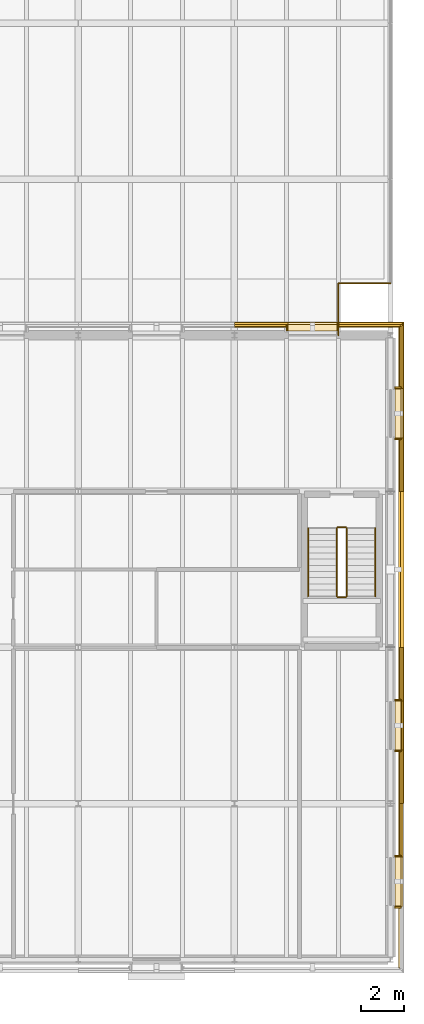
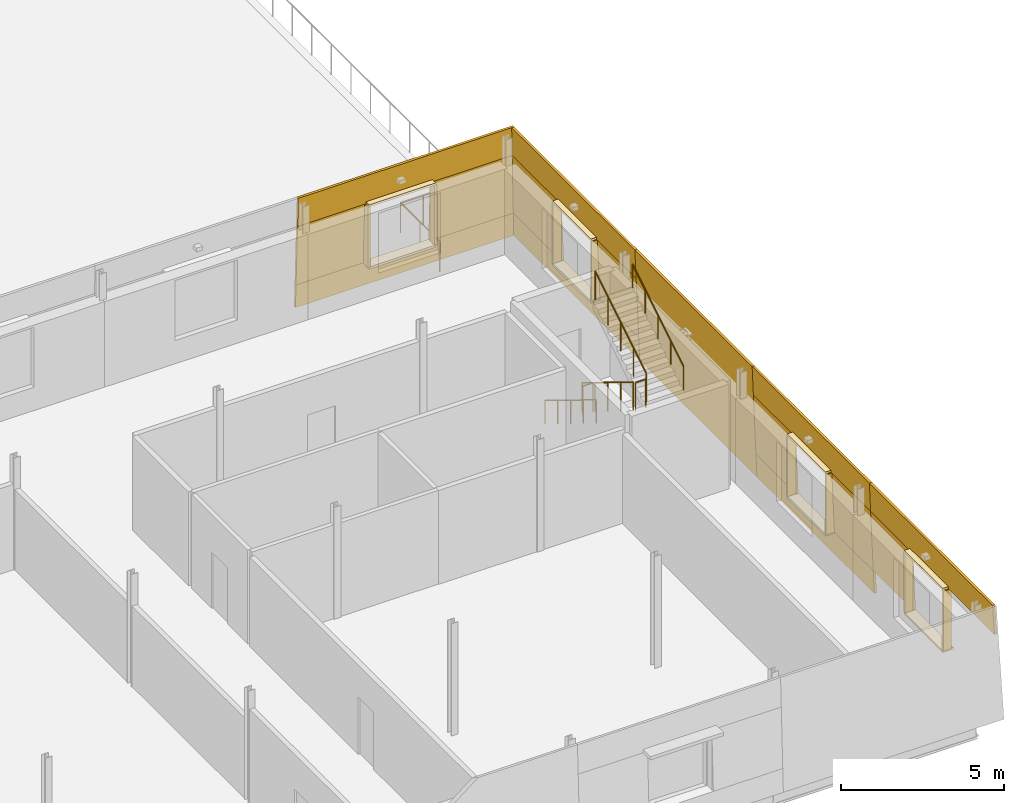
# One storey, part 110 of 115: 31 coverings, 8 railings.
"""IFC4 building model written with IfcOpenShell, lengths in metres."""

from ifc_helpers import new_model, si_unit, direction, frame, origin, origin_2d, place, context, subcontext, project, spatial, polyline, circle, outline, extrude, material, layer, layer_set, type_object, element, save


model = new_model("IFC4")

# Units and contexts
model_context = context("Model", 3, precision=1e-05, world=origin(), true_north=direction((0.0, 1.0)))
body_context = subcontext(model_context, "Body", "Model", "MODEL_VIEW")
ifc_project = project(units=[si_unit("LENGTHUNIT", "METRE"), si_unit("AREAUNIT", "SQUARE_METRE"), si_unit("VOLUMEUNIT", "CUBIC_METRE"), si_unit("PLANEANGLEUNIT", "RADIAN"), si_unit("MASSUNIT", "GRAM", prefix="KILO")], contexts=[model_context])

# Site, building, storey
site_placement = place(None, origin())
site = spatial("IfcSite", under=ifc_project, at=site_placement, CompositionType="ELEMENT")
building_placement = place(site_placement, origin())
building = spatial("IfcBuilding", under=site, at=building_placement, Name="Narikvali Park Central Library", CompositionType="ELEMENT")
storey_placement = place(building_placement, frame((0.0, 0.0, 10.199951171875)))
storey = spatial("IfcBuildingStorey", under=building, at=storey_placement, Name="L02", CompositionType="ELEMENT", Elevation=10.199951171875)

# Coverings
ifc_material_1 = material(Name="White Honed Limestone Cladding", Category="masonry")
ifc_layer_1 = layer(ifc_material_1, 0.0849609375, Name="White Honed Limestone Cladding")
ifc_layer_set_1 = layer_set([ifc_layer_1], Name="White Honed Limestone Cladding")
covering_type_1 = type_object("IfcCoveringType", Name="Battered White Limestone Facade Cladding Panel", PredefinedType="CLADDING", material=ifc_layer_set_1)
covering_1_placement = place(storey_placement, frame((166.094970703125, -0.409912109375, 3.1201171875), z_axis=(0.99916372671, 0.0, 0.040888228473), x_axis=(0.0, 1.0, 0.0)))
element("IfcCovering", 1, at=covering_1_placement, inside=storey, type_object=covering_type_1, Name="V6 L02 E Battered Limestone Lintel B01", PredefinedType="CLADDING", context=body_context, shape_type="SweptSolid", body=[
    extrude(outline(polyline([(0.0, 0.0), (7.60986328125, 0.0), (7.60986328125, 1.0807377765113395), (0.044189453125, 1.0807377765113395), (0.0, 0.0)])), origin(), (0.0, 0.0, -1.0), 0.0849609375),
])
covering_2_placement = place(storey_placement, frame((166.18701171875, 4.739990234375, 0.8701171875), z_axis=(0.999164352475, 0.0, 0.040872934124), x_axis=(0.0, 1.0, 0.0)))
element("IfcCovering", 2, at=covering_2_placement, inside=storey, type_object=covering_type_1, Name="V6 L02 E Battered Limestone Jamb Pier R B01", PredefinedType="CLADDING", context=body_context, shape_type="SweptSolid", body=[
    extrude(outline(polyline([(0.0, 0.0), (2.4599609375, 0.0), (2.4599609375, 2.251881779436319), (0.0, 2.251881779436319), (0.0, 0.0)])), origin(), (0.0, 0.0, -1.0), 0.0849609375),
])
covering_3_placement = place(storey_placement, frame((166.22265625, 7.199951171875, 0.0), z_axis=(0.999161980475, 0.0, 0.040930877988), x_axis=(0.0, 1.0, 0.0)))
element("IfcCovering", 3, at=covering_3_placement, inside=storey, type_object=covering_type_1, Name="V6 L02 E Battered Limestone Spandrel B02", PredefinedType="CLADDING", context=body_context, shape_type="SweptSolid", body=[
    extrude(outline(polyline([(0.0, 0.0), (7.199951171875, 0.0), (7.199951171875, 0.8708469742675473), (0.0, 0.8708469742675473), (0.0, 0.0)])), origin(), (0.0, 0.0, -1.0), 0.0849609375),
])
covering_4_placement = place(storey_placement, frame((166.094970703125, 7.199951171875, 3.1201171875), z_axis=(0.99916372671, 0.0, 0.040888228473), x_axis=(0.0, 1.0, 0.0)))
element("IfcCovering", 4, at=covering_4_placement, inside=storey, type_object=covering_type_1, Name="V6 L02 E Battered Limestone Lintel B02", PredefinedType="CLADDING", context=body_context, shape_type="SweptSolid", body=[
    extrude(outline(polyline([(0.0, 0.0), (7.199951171875, 0.0), (7.199951171875, 1.0807377765113397), (0.0, 1.0807377765113397), (0.0, 0.0)])), origin(), (0.0, 0.0, -1.0), 0.0849609375),
])
for number, where, z_axis, x_axis, name in (
    (5, (166.18701171875, 7.199951171875, 0.8701171875), (0.999164352475, 0.0, 0.040872934124), (0.0, 1.0, 0.0), "V6 L02 E Battered Limestone Jamb Pier L B02"),
    (6, (166.18701171875, 11.93994140625, 0.8701171875), (0.999164352475, 0.0, 0.040872934124), (0.0, 1.0, 0.0), "V6 L02 E Battered Limestone Jamb Pier R B02"),
):
    element("IfcCovering", number, at=place(storey_placement, frame(where, z_axis=z_axis, x_axis=x_axis)), inside=storey, type_object=covering_type_1, Name=name, PredefinedType="CLADDING", context=body_context, shape_type="SweptSolid", body=[
        extrude(outline(polyline([(0.0, 0.0), (2.4599609375, 0.0), (2.4599609375, 2.251881779436319), (0.0, 2.251881779436319), (0.0, 0.0)])), origin(), (0.0, 0.0, -1.0), 0.0849609375),
    ])
covering_5_placement = place(storey_placement, frame((166.22265625, 14.39990234375, 0.0), z_axis=(0.999163700422, 0.0, 0.040888870842), x_axis=(0.0, 1.0, 0.0)))
element("IfcCovering", 7, at=covering_5_placement, inside=storey, type_object=covering_type_1, Name="V6 L02 E Battered Limestone Panel B03", PredefinedType="CLADDING", context=body_context, shape_type="SweptSolid", body=[
    extrude(outline(polyline([(0.0, 0.0), (7.2001953125, 0.0), (7.2001953125, 4.203466529158902), (0.0, 4.203466529158902), (0.0, 0.0)])), origin(), (0.0, 0.0, -1.0), 0.0849609375),
])
covering_6_placement = place(storey_placement, frame((166.22265625, 21.60009765625, 0.0), z_axis=(0.999161980475, 0.0, 0.040930877988), x_axis=(0.0, 1.0, 0.0)))
element("IfcCovering", 8, at=covering_6_placement, inside=storey, type_object=covering_type_1, Name="V6 L02 E Battered Limestone Spandrel B04", PredefinedType="CLADDING", context=body_context, shape_type="SweptSolid", body=[
    extrude(outline(polyline([(0.0, 0.0), (7.737548828125, 0.0), (7.701904296875, 0.8708469742675473), (0.0, 0.8708469742675473), (0.0, 0.0)])), origin(), (0.0, 0.0, -1.0), 0.0849609375),
])
covering_7_placement = place(storey_placement, frame((166.094970703125, 21.60009765625, 3.1201171875), z_axis=(0.99916372671, 0.0, 0.040888228473), x_axis=(0.0, 1.0, 0.0)))
element("IfcCovering", 9, at=covering_7_placement, inside=storey, type_object=covering_type_1, Name="V6 L02 E Battered Limestone Lintel B04", PredefinedType="CLADDING", context=body_context, shape_type="SweptSolid", body=[
    extrude(outline(polyline([(0.0, 0.0), (7.60986328125, 0.0), (7.565673828125, 1.0807377765113395), (0.0, 1.0807377765113395), (0.0, 0.0)])), origin(), (0.0, 0.0, -1.0), 0.0849609375),
])
covering_8_placement = place(storey_placement, frame((166.18701171875, 21.60009765625, 0.8701171875), z_axis=(0.999164352475, 0.0, 0.040872934124), x_axis=(0.0, 1.0, 0.0)))
element("IfcCovering", 10, at=covering_8_placement, inside=storey, type_object=covering_type_1, Name="V6 L02 E Battered Limestone Jamb Pier L B04", PredefinedType="CLADDING", context=body_context, shape_type="SweptSolid", body=[
    extrude(outline(polyline([(0.0, 0.0), (2.4599609375, 0.0), (2.4599609375, 2.251881779436319), (0.0, 2.251881779436319), (0.0, 0.0)])), origin(), (0.0, 0.0, -1.0), 0.0849609375),
])
covering_9_placement = place(storey_placement, frame((166.18701171875, 26.340087890625, 0.8701171875), z_axis=(0.999164352475, 0.0, 0.040872934124), x_axis=(0.0, 1.0, 0.0)))
element("IfcCovering", 11, at=covering_9_placement, inside=storey, type_object=covering_type_1, Name="V6 L02 E Battered Limestone Jamb Pier R B04", PredefinedType="CLADDING", context=body_context, shape_type="SweptSolid", body=[
    extrude(outline(polyline([(0.0, 0.0), (2.9619140625, 0.0), (2.869873046875, 2.251881779436319), (0.0, 2.251881779436319), (0.0, 0.0)])), origin(), (0.0, 0.0, -1.0), 0.0849609375),
])
covering_10_placement = place(storey_placement, frame((166.22265625, 29.422607421875, 0.0), z_axis=(0.0, 0.999161980475, 0.040930877988), x_axis=(-1.0, 0.0, 0.0)))
element("IfcCovering", 12, at=covering_10_placement, inside=storey, type_object=covering_type_1, Name="V6 L02 N Battered Limestone Spandrel B01", PredefinedType="CLADDING", context=body_context, shape_type="SweptSolid", body=[
    extrude(outline(polyline([(0.0, 0.0), (7.82275390625, 0.0), (7.82275390625, 0.8708469742675474), (0.03564453125, 0.8708469742675474), (0.0, 0.0)])), origin(), (0.0, 0.0, -1.0), 0.0849609375),
])
covering_11_placement = place(storey_placement, frame((166.094970703125, 29.294921875, 3.1201171875), z_axis=(0.0, 0.99916372671, 0.040888228473), x_axis=(-1.0, 0.0, 0.0)))
element("IfcCovering", 13, at=covering_11_placement, inside=storey, type_object=covering_type_1, Name="V6 L02 N Battered Limestone Lintel B01", PredefinedType="CLADDING", context=body_context, shape_type="SweptSolid", body=[
    extrude(outline(polyline([(0.0, 0.0), (7.695068359375, 0.0), (7.695068359375, 1.0807377765113397), (0.044189453125, 1.0807377765113397), (0.0, 0.0)])), origin(), (0.0, 0.0, -1.0), 0.0849609375),
])
covering_12_placement = place(storey_placement, frame((166.18701171875, 29.386962890625, 0.8701171875), z_axis=(0.0, 0.999164352475, 0.040872934124), x_axis=(-1.0, 0.0, 0.0)))
element("IfcCovering", 14, at=covering_12_placement, inside=storey, type_object=covering_type_1, Name="V6 L02 N Battered Limestone Jamb Pier L B01", PredefinedType="CLADDING", context=body_context, shape_type="SweptSolid", body=[
    extrude(outline(polyline([(0.0, 0.0), (3.047119140625, 0.0), (3.047119140625, 2.2518817794363186), (0.092041015625, 2.2518817794363186), (0.0, 0.0)])), origin(), (0.0, 0.0, -1.0), 0.0849609375),
])
covering_13_placement = place(storey_placement, frame((160.860107421875, 29.386962890625, 0.8701171875), z_axis=(0.0, 0.999164352475, 0.040872934124), x_axis=(-1.0, 0.0, 0.0)))
element("IfcCovering", 15, at=covering_13_placement, inside=storey, type_object=covering_type_1, Name="V6 L02 N Battered Limestone Jamb Pier R B01", PredefinedType="CLADDING", context=body_context, shape_type="SweptSolid", body=[
    extrude(outline(polyline([(0.0, 0.0), (2.460205078125, 0.0), (2.460205078125, 2.2518817794363186), (0.0, 2.2518817794363186), (0.0, 0.0)])), origin(), (0.0, 0.0, -1.0), 0.0849609375),
])
ifc_layer_2 = layer(ifc_material_1, 0.080078125, Name="White Honed Limestone Cladding")
ifc_layer_set_2 = layer_set([ifc_layer_2], Name="White Honed Limestone Cladding")
covering_type_2 = type_object("IfcCoveringType", Name="Deep Carved White Limestone Window Reveal", PredefinedType="CLADDING", material=ifc_layer_set_2)
covering_14_placement = place(storey_placement, frame((0.0, 0.0, 3.1201171875)))
element("IfcCovering", 16, at=covering_14_placement, inside=storey, type_object=covering_type_2, Name="Deep Stone Reveal Head V6-RVL-L02-E-B01", PredefinedType="CLADDING", context=body_context, shape_type="SweptSolid", body=[
    extrude(outline(polyline([(165.804931640625, 2.419921875), (165.804931640625, 4.780029296875), (166.094970703125, 4.780029296875), (166.094970703125, 2.419921875), (165.804931640625, 2.419921875)])), origin(), (0.0, 0.0, 1.0), 0.079833984375),
])
covering_15_placement = place(storey_placement, frame((0.0, 0.0, 0.7900390625)))
element("IfcCovering", 17, at=covering_15_placement, inside=storey, type_object=covering_type_2, Name="Deep Stone Reveal Sill V6-RVL-L02-E-B01", PredefinedType="CLADDING", context=body_context, shape_type="SweptSolid", body=[
    extrude(outline(polyline([(165.804931640625, 2.419921875), (165.804931640625, 4.780029296875), (166.18701171875, 4.780029296875), (166.18701171875, 2.419921875), (165.804931640625, 2.419921875)])), origin(), (0.0, 0.0, 1.0), 0.080078125),
])
covering_16_placement = place(storey_placement, frame((0.0, 0.0, 0.8701171875)))
element("IfcCovering", 18, at=covering_16_placement, inside=storey, type_object=covering_type_2, Name="Deep Stone Reveal Jamb L V6-RVL-L02-E-B01", PredefinedType="CLADDING", context=body_context, shape_type="SweptSolid", body=[
    extrude(outline(polyline([(165.804931640625, 2.3798828125), (165.804931640625, 2.4599609375), (166.094970703125, 2.4599609375), (166.094970703125, 2.3798828125), (165.804931640625, 2.3798828125)])), origin(), (0.0, 0.0, 1.0), 2.25),
])
covering_17_placement = place(storey_placement, frame((0.0, 0.0, 0.8701171875)))
element("IfcCovering", 19, at=covering_17_placement, inside=storey, type_object=covering_type_2, Name="Deep Stone Reveal Jamb R V6-RVL-L02-E-B01", PredefinedType="CLADDING", context=body_context, shape_type="SweptSolid", body=[
    extrude(outline(polyline([(165.804931640625, 4.739990234375), (165.804931640625, 4.820068359375), (166.094970703125, 4.820068359375), (166.094970703125, 4.739990234375), (165.804931640625, 4.739990234375)])), origin(), (0.0, 0.0, 1.0), 2.25),
])
covering_18_placement = place(storey_placement, frame((0.0, 0.0, 3.1201171875)))
element("IfcCovering", 20, at=covering_18_placement, inside=storey, type_object=covering_type_2, Name="Deep Stone Reveal Head V6-RVL-L02-E-B02", PredefinedType="CLADDING", context=body_context, shape_type="SweptSolid", body=[
    extrude(outline(polyline([(165.804931640625, 9.6201171875), (165.804931640625, 11.97998046875), (166.094970703125, 11.97998046875), (166.094970703125, 9.6201171875), (165.804931640625, 9.6201171875)])), origin(), (0.0, 0.0, 1.0), 0.079833984375),
])
covering_19_placement = place(storey_placement, frame((0.0, 0.0, 0.7900390625)))
element("IfcCovering", 21, at=covering_19_placement, inside=storey, type_object=covering_type_2, Name="Deep Stone Reveal Sill V6-RVL-L02-E-B02", PredefinedType="CLADDING", context=body_context, shape_type="SweptSolid", body=[
    extrude(outline(polyline([(165.804931640625, 9.6201171875), (165.804931640625, 11.97998046875), (166.18701171875, 11.97998046875), (166.18701171875, 9.6201171875), (165.804931640625, 9.6201171875)])), origin(), (0.0, 0.0, 1.0), 0.080078125),
])
covering_20_placement = place(storey_placement, frame((0.0, 0.0, 0.8701171875)))
element("IfcCovering", 22, at=covering_20_placement, inside=storey, type_object=covering_type_2, Name="Deep Stone Reveal Jamb L V6-RVL-L02-E-B02", PredefinedType="CLADDING", context=body_context, shape_type="SweptSolid", body=[
    extrude(outline(polyline([(165.804931640625, 9.580078125), (165.804931640625, 9.659912109375), (166.094970703125, 9.659912109375), (166.094970703125, 9.580078125), (165.804931640625, 9.580078125)])), origin(), (0.0, 0.0, 1.0), 2.25),
])
covering_21_placement = place(storey_placement, frame((0.0, 0.0, 0.8701171875)))
element("IfcCovering", 23, at=covering_21_placement, inside=storey, type_object=covering_type_2, Name="Deep Stone Reveal Jamb R V6-RVL-L02-E-B02", PredefinedType="CLADDING", context=body_context, shape_type="SweptSolid", body=[
    extrude(outline(polyline([(165.804931640625, 11.93994140625), (165.804931640625, 12.02001953125), (166.094970703125, 12.02001953125), (166.094970703125, 11.93994140625), (165.804931640625, 11.93994140625)])), origin(), (0.0, 0.0, 1.0), 2.25),
])
covering_22_placement = place(storey_placement, frame((0.0, 0.0, 3.1201171875)))
element("IfcCovering", 24, at=covering_22_placement, inside=storey, type_object=covering_type_2, Name="Deep Stone Reveal Head V6-RVL-L02-E-B04", PredefinedType="CLADDING", context=body_context, shape_type="SweptSolid", body=[
    extrude(outline(polyline([(165.804931640625, 24.02001953125), (165.804931640625, 26.3798828125), (166.094970703125, 26.3798828125), (166.094970703125, 24.02001953125), (165.804931640625, 24.02001953125)])), origin(), (0.0, 0.0, 1.0), 0.079833984375),
])
covering_23_placement = place(storey_placement, frame((0.0, 0.0, 0.7900390625)))
element("IfcCovering", 25, at=covering_23_placement, inside=storey, type_object=covering_type_2, Name="Deep Stone Reveal Sill V6-RVL-L02-E-B04", PredefinedType="CLADDING", context=body_context, shape_type="SweptSolid", body=[
    extrude(outline(polyline([(165.804931640625, 24.02001953125), (165.804931640625, 26.3798828125), (166.18701171875, 26.3798828125), (166.18701171875, 24.02001953125), (165.804931640625, 24.02001953125)])), origin(), (0.0, 0.0, 1.0), 0.080078125),
])
covering_24_placement = place(storey_placement, frame((0.0, 0.0, 0.8701171875)))
element("IfcCovering", 26, at=covering_24_placement, inside=storey, type_object=covering_type_2, Name="Deep Stone Reveal Jamb L V6-RVL-L02-E-B04", PredefinedType="CLADDING", context=body_context, shape_type="SweptSolid", body=[
    extrude(outline(polyline([(165.804931640625, 23.97998046875), (165.804931640625, 24.06005859375), (166.094970703125, 24.06005859375), (166.094970703125, 23.97998046875), (165.804931640625, 23.97998046875)])), origin(), (0.0, 0.0, 1.0), 2.25),
])
covering_25_placement = place(storey_placement, frame((0.0, 0.0, 0.8701171875)))
element("IfcCovering", 27, at=covering_25_placement, inside=storey, type_object=covering_type_2, Name="Deep Stone Reveal Jamb R V6-RVL-L02-E-B04", PredefinedType="CLADDING", context=body_context, shape_type="SweptSolid", body=[
    extrude(outline(polyline([(165.804931640625, 26.340087890625), (165.804931640625, 26.419921875), (166.094970703125, 26.419921875), (166.094970703125, 26.340087890625), (165.804931640625, 26.340087890625)])), origin(), (0.0, 0.0, 1.0), 2.25),
])
covering_26_placement = place(storey_placement, frame((0.0, 0.0, 3.1201171875)))
element("IfcCovering", 28, at=covering_26_placement, inside=storey, type_object=covering_type_2, Name="Deep Stone Reveal Head V6-RVL-L02-N-B01", PredefinedType="CLADDING", context=body_context, shape_type="SweptSolid", body=[
    extrude(outline(polyline([(163.179931640625, 29.0048828125), (160.820068359375, 29.0048828125), (160.820068359375, 29.294921875), (163.179931640625, 29.294921875), (163.179931640625, 29.0048828125)])), origin(), (0.0, 0.0, 1.0), 0.079833984375),
])
covering_27_placement = place(storey_placement, frame((0.0, 0.0, 0.7900390625)))
element("IfcCovering", 29, at=covering_27_placement, inside=storey, type_object=covering_type_2, Name="Deep Stone Reveal Sill V6-RVL-L02-N-B01", PredefinedType="CLADDING", context=body_context, shape_type="SweptSolid", body=[
    extrude(outline(polyline([(163.179931640625, 29.0048828125), (160.820068359375, 29.0048828125), (160.820068359375, 29.386962890625), (163.179931640625, 29.386962890625), (163.179931640625, 29.0048828125)])), origin(), (0.0, 0.0, 1.0), 0.080078125),
])
covering_28_placement = place(storey_placement, frame((0.0, 0.0, 0.8701171875)))
element("IfcCovering", 30, at=covering_28_placement, inside=storey, type_object=covering_type_2, Name="Deep Stone Reveal Jamb L V6-RVL-L02-N-B01", PredefinedType="CLADDING", context=body_context, shape_type="SweptSolid", body=[
    extrude(outline(polyline([(163.219970703125, 29.0048828125), (163.139892578125, 29.0048828125), (163.139892578125, 29.294921875), (163.219970703125, 29.294921875), (163.219970703125, 29.0048828125)])), origin(), (0.0, 0.0, 1.0), 2.25),
])
covering_29_placement = place(storey_placement, frame((0.0, 0.0, 0.8701171875)))
element("IfcCovering", 31, at=covering_29_placement, inside=storey, type_object=covering_type_2, Name="Deep Stone Reveal Jamb R V6-RVL-L02-N-B01", PredefinedType="CLADDING", context=body_context, shape_type="SweptSolid", body=[
    extrude(outline(polyline([(160.860107421875, 29.0048828125), (160.780029296875, 29.0048828125), (160.780029296875, 29.294921875), (160.860107421875, 29.294921875), (160.860107421875, 29.0048828125)])), origin(), (0.0, 0.0, 1.0), 2.25),
])

# Railings
ifc_material_2 = material(Name="Brushed Stainless Steel S355", Category="steel")
ifc_layer_3 = layer(ifc_material_2, 0.044921875, Name="Brushed Stainless Steel S355")
ifc_layer_set_3 = layer_set([ifc_layer_3], Name="Brushed Stainless Steel S355")
railing_type_1 = type_object("IfcRailingType", Name="Stair Tubular Steel Handrail 900", PredefinedType="HANDRAIL", material=ifc_layer_set_3)
railing_1_placement = place(storey_placement, frame((161.800048828125, 19.89990234375, 0.175048828125)))
element("IfcRailing", 32, at=railing_1_placement, inside=storey, type_object=railing_type_1, Name="L02 ST-12 stair handrail 1", PredefinedType="HANDRAIL", context=body_context, shape_type="SweptSolid", body=[
    extrude(circle(Radius=0.02392578125, at=origin_2d()), frame((0.0, 0.0, 0.8759765625), z_axis=(0.0, -0.852166034122, 0.523271488128), x_axis=(1.0, 0.0, 0.0)), (0.0, 0.0, 1.0), 3.678955078125),
    extrude(circle(Radius=0.02099609375, at=origin_2d()), origin(), (0.0, 0.0, 1.0), 0.851806640625),
    extrude(circle(Radius=0.02099609375, at=origin_2d()), frame((0.0, -0.78369140625, 0.481201171875)), (0.0, 0.0, 1.0), 0.851806640625),
    extrude(circle(Radius=0.02099609375, at=origin_2d()), frame((0.0, -1.5673828125, 0.96240234375)), (0.0, 0.0, 1.0), 0.851806640625),
    extrude(circle(Radius=0.02099609375, at=origin_2d()), frame((0.0, -2.351318359375, 1.44384765625)), (0.0, 0.0, 1.0), 0.851806640625),
    extrude(circle(Radius=0.02099609375, at=origin_2d()), frame((0.0, -3.135009765625, 1.925048828125)), (0.0, 0.0, 1.0), 0.851806640625),
])
railing_2_placement = place(storey_placement, frame((164.89990234375, 16.764892578125, 2.275146484375)))
element("IfcRailing", 33, at=railing_2_placement, inside=storey, type_object=railing_type_1, Name="L02 ST-12 stair handrail 2", PredefinedType="HANDRAIL", context=body_context, shape_type="SweptSolid", body=[
    extrude(circle(Radius=0.02392578125, at=origin_2d()), frame((0.0, 0.0, 0.8759765625), z_axis=(0.0, 0.852195625947, 0.523223293744), x_axis=(-1.0, 0.0, 0.0)), (0.0, 0.0, 1.0), 3.6787109375),
    extrude(circle(Radius=0.02099609375, at=origin_2d()), origin(), (0.0, 0.0, 1.0), 0.851806640625),
    extrude(circle(Radius=0.02099609375, at=origin_2d()), frame((0.0, 0.78369140625, 0.481201171875)), (0.0, 0.0, 1.0), 0.851806640625),
    extrude(circle(Radius=0.02099609375, at=origin_2d()), frame((0.0, 1.5673828125, 0.96240234375)), (0.0, 0.0, 1.0), 0.851806640625),
    extrude(circle(Radius=0.02099609375, at=origin_2d()), frame((0.0, 2.351318359375, 1.443603515625)), (0.0, 0.0, 1.0), 0.851806640625),
    extrude(circle(Radius=0.02099609375, at=origin_2d()), frame((0.0, 3.135009765625, 1.9248046875)), (0.0, 0.0, 1.0), 0.851806640625),
])
ifc_material_3 = material(Name="Powder-Coated Steel S275", Category="steel")
ifc_layer_4 = layer(ifc_material_3, 0.050048828125, Name="Powder-Coated Steel S275")
ifc_layer_set_4 = layer_set([ifc_layer_4], Name="Powder-Coated Steel S275")
railing_type_2 = type_object("IfcRailingType", Name="Stair Well Steel Guardrail 1100", PredefinedType="GUARDRAIL", material=ifc_layer_set_4)
railing_3_placement = place(storey_placement, frame((163.1201171875, 19.89990234375, 0.175048828125)))
element("IfcRailing", 34, at=railing_3_placement, inside=storey, type_object=railing_type_2, Name="L02 ST-12 stair guard 1", PredefinedType="GUARDRAIL", context=body_context, shape_type="SweptSolid", body=[
    extrude(circle(Radius=0.02392578125, at=origin_2d()), frame((0.0, 0.0, 1.076171875), z_axis=(0.0, -0.852166034122, 0.523271488128), x_axis=(1.0, 0.0, 0.0)), (0.0, 0.0, 1.0), 3.678955078125),
    extrude(circle(Radius=0.02099609375, at=origin_2d()), origin(), (0.0, 0.0, 1.0), 1.052001953125),
    extrude(circle(Radius=0.02099609375, at=origin_2d()), frame((0.0, -0.78369140625, 0.481201171875)), (0.0, 0.0, 1.0), 1.052001953125),
    extrude(circle(Radius=0.02099609375, at=origin_2d()), frame((0.0, -1.5673828125, 0.96240234375)), (0.0, 0.0, 1.0), 1.052001953125),
    extrude(circle(Radius=0.02099609375, at=origin_2d()), frame((0.0, -2.351318359375, 1.44384765625)), (0.0, 0.0, 1.0), 1.052001953125),
    extrude(circle(Radius=0.02099609375, at=origin_2d()), frame((0.0, -3.135009765625, 1.925048828125)), (0.0, 0.0, 1.0), 1.052001953125),
])
railing_4_placement = place(storey_placement, frame((163.169921875, 16.715087890625, 2.10009765625)))
element("IfcRailing", 35, at=railing_4_placement, inside=storey, type_object=railing_type_2, Name="L02 ST-12 stair guard 2", PredefinedType="GUARDRAIL", context=body_context, shape_type="SweptSolid", body=[
    extrude(circle(Radius=0.02392578125, at=origin_2d()), frame((0.0, 0.0, 1.076171875), z_axis=(1.0, 0.0, 0.0), x_axis=(0.0, 1.0, 0.0)), (0.0, 0.0, 1.0), 0.360107421875),
    extrude(circle(Radius=0.02099609375, at=origin_2d()), origin(), (0.0, 0.0, 1.0), 1.052001953125),
    extrude(circle(Radius=0.02099609375, at=origin_2d()), frame((0.360107421875, 0.0, 0.0)), (0.0, 0.0, 1.0), 1.052001953125),
])
railing_5_placement = place(storey_placement, frame((163.580078125, 16.764892578125, 2.275146484375)))
element("IfcRailing", 36, at=railing_5_placement, inside=storey, type_object=railing_type_2, Name="L02 ST-12 stair guard 3", PredefinedType="GUARDRAIL", context=body_context, shape_type="SweptSolid", body=[
    extrude(circle(Radius=0.02392578125, at=origin_2d()), frame((0.0, 0.0, 1.076171875), z_axis=(0.0, 0.852195625947, 0.523223293744), x_axis=(-1.0, 0.0, 0.0)), (0.0, 0.0, 1.0), 3.6787109375),
    extrude(circle(Radius=0.02099609375, at=origin_2d()), origin(), (0.0, 0.0, 1.0), 1.052001953125),
    extrude(circle(Radius=0.02099609375, at=origin_2d()), frame((0.0, 0.78369140625, 0.481201171875)), (0.0, 0.0, 1.0), 1.052001953125),
    extrude(circle(Radius=0.02099609375, at=origin_2d()), frame((0.0, 1.5673828125, 0.96240234375)), (0.0, 0.0, 1.0), 1.052001953125),
    extrude(circle(Radius=0.02099609375, at=origin_2d()), frame((0.0, 2.351318359375, 1.443603515625)), (0.0, 0.0, 1.0), 1.052001953125),
    extrude(circle(Radius=0.02099609375, at=origin_2d()), frame((0.0, 3.135009765625, 1.9248046875)), (0.0, 0.0, 1.0), 1.052001953125),
])
railing_6_placement = place(storey_placement, frame((163.169921875, 19.949951171875, 0.0)))
element("IfcRailing", 37, at=railing_6_placement, inside=storey, type_object=railing_type_2, Name="L02 ST-12 stair guard 4", PredefinedType="GUARDRAIL", context=body_context, shape_type="SweptSolid", body=[
    extrude(circle(Radius=0.02392578125, at=origin_2d()), frame((0.0, 0.0, 1.076171875), z_axis=(1.0, 0.0, 0.0), x_axis=(0.0, 1.0, 0.0)), (0.0, 0.0, 1.0), 0.360107421875),
    extrude(circle(Radius=0.02099609375, at=origin_2d()), origin(), (0.0, 0.0, 1.0), 1.052001953125),
    extrude(circle(Radius=0.02099609375, at=origin_2d()), frame((0.360107421875, 0.0, 0.0)), (0.0, 0.0, 1.0), 1.052001953125),
])
ifc_material_4 = material(Name="Anodised Bronze and White Limestone", Category="masonry")
ifc_layer_5 = layer(ifc_material_4, 0.080078125, Name="Anodised Bronze and White Limestone")
ifc_layer_set_5 = layer_set([ifc_layer_5], Name="Anodised Bronze and White Limestone")
railing_type_3 = type_object("IfcRailingType", Name="Terrace Stone and Bronze Balustrade 1150", PredefinedType="BALUSTRADE", material=ifc_layer_set_5)
railing_7_placement = place(storey_placement, frame((163.199951171875, 28.800048828125, 0.0)))
element("IfcRailing", 38, at=railing_7_placement, inside=storey, type_object=railing_type_3, Name="V6 L02 Roof Garden Balustrade 2", PredefinedType="BALUSTRADE", context=body_context, shape_type="SweptSolid", body=[
    extrude(circle(Radius=0.02392578125, at=origin_2d()), frame((0.0, 0.0, 1.1259765625), z_axis=(0.0, 1.0, 0.0), x_axis=(-1.0, 0.0, 0.0)), (0.0, 0.0, 1.0), 2.39990234375),
    extrude(circle(Radius=0.02099609375, at=origin_2d()), origin(), (0.0, 0.0, 1.0), 1.101806640625),
    extrude(circle(Radius=0.02099609375, at=origin_2d()), frame((0.0, 1.199951171875, 0.0)), (0.0, 0.0, 1.0), 1.101806640625),
    extrude(circle(Radius=0.02099609375, at=origin_2d()), frame((0.0, 2.39990234375, 0.0)), (0.0, 0.0, 1.0), 1.101806640625),
])
railing_8_placement = place(storey_placement, frame((163.199951171875, 31.199951171875, 0.0)))
element("IfcRailing", 39, at=railing_8_placement, inside=storey, type_object=railing_type_3, Name="V6 L02 Roof Garden Balustrade 3", PredefinedType="BALUSTRADE", context=body_context, shape_type="SweptSolid", body=[
    extrude(circle(Radius=0.02392578125, at=origin_2d()), frame((0.0, 0.0, 1.1259765625), z_axis=(1.0, 0.0, 0.0), x_axis=(0.0, 1.0, 0.0)), (0.0, 0.0, 1.0), 2.400146484375),
    extrude(circle(Radius=0.02099609375, at=origin_2d()), origin(), (0.0, 0.0, 1.0), 1.101806640625),
    extrude(circle(Radius=0.02099609375, at=origin_2d()), frame((0.800048828125, 0.0, 0.0)), (0.0, 0.0, 1.0), 1.101806640625),
    extrude(circle(Radius=0.02099609375, at=origin_2d()), frame((1.60009765625, 0.0, 0.0)), (0.0, 0.0, 1.0), 1.101806640625),
    extrude(circle(Radius=0.02099609375, at=origin_2d()), frame((2.400146484375, 0.0, 0.0)), (0.0, 0.0, 1.0), 1.101806640625),
])

save(model, "model.ifc")
